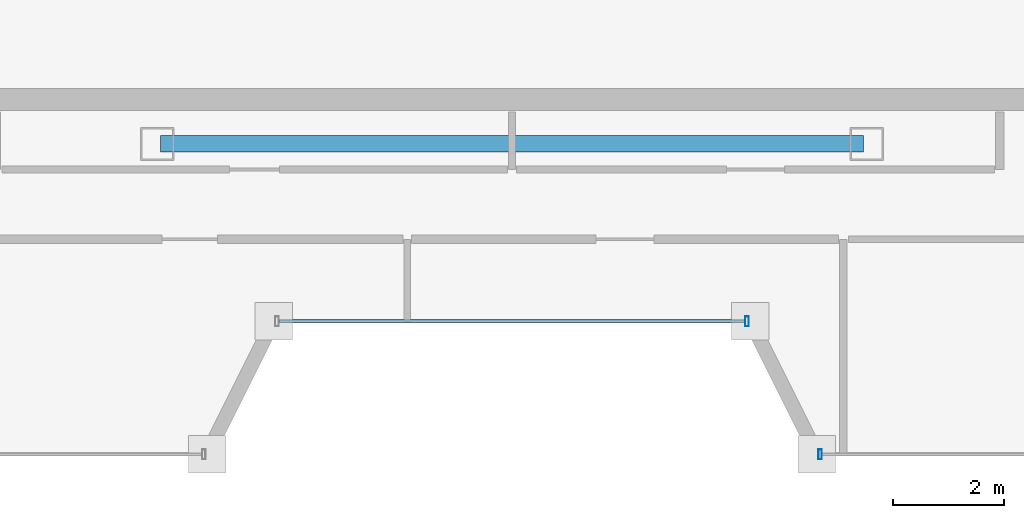
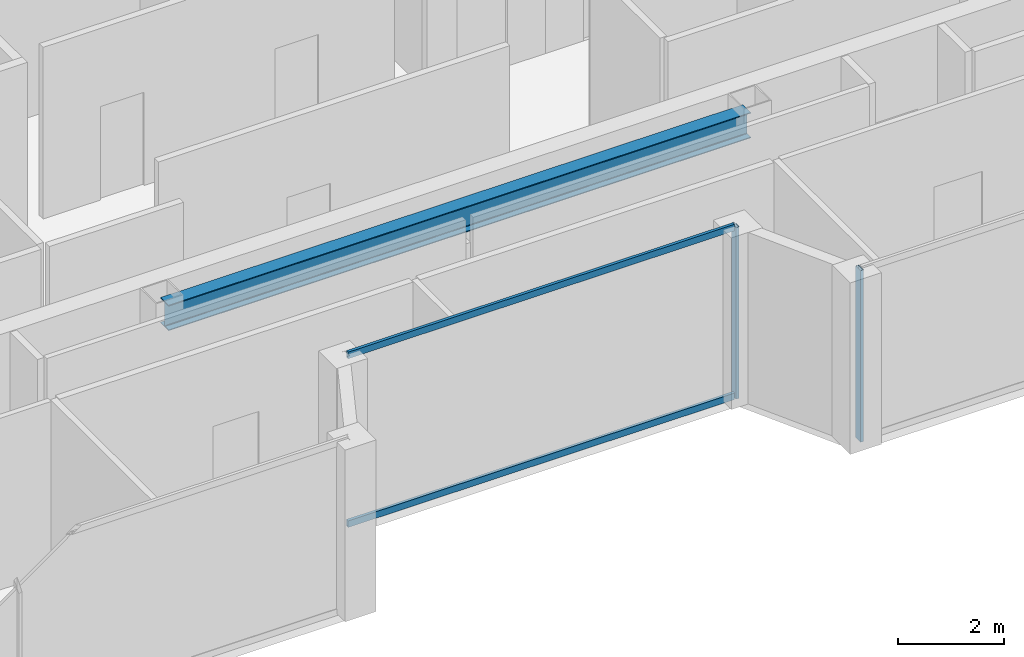
# One storey, part 5 of 20: 4 members, 1 beam, 2 elements without a shape of their own.
"""IFC4 building model written with IfcOpenShell, lengths in metres."""

from ifc_helpers import new_model, si_unit, direction, frame, origin, origin_2d, place, context, subcontext, project, spatial, hollow_rectangle, i_section, extrude, material, material_profile, profile_set, type_object, element, aggregate, save


model = new_model("IFC4")

# Units and contexts
model_context = context("Model", 3, precision=1e-05, world=origin(), true_north=direction((0.0, 1.0)))
body_context = subcontext(model_context, "Body", "Model", "MODEL_VIEW")
ifc_project = project(units=[si_unit("LENGTHUNIT", "METRE"), si_unit("AREAUNIT", "SQUARE_METRE"), si_unit("VOLUMEUNIT", "CUBIC_METRE"), si_unit("PLANEANGLEUNIT", "RADIAN"), si_unit("MASSUNIT", "GRAM", prefix="KILO")], contexts=[model_context])

# Site, building, storey
site_placement = place(None, origin())
site = spatial("IfcSite", under=ifc_project, at=site_placement, CompositionType="ELEMENT")
building_placement = place(site_placement, origin())
building = spatial("IfcBuilding", under=site, at=building_placement, Name="Saevonmaru Cultural Tower", CompositionType="ELEMENT")
storey_placement = place(building_placement, frame((0.0, 0.0, 319.199951171875)))
storey = spatial("IfcBuildingStorey", under=building, at=storey_placement, Name="L76", CompositionType="ELEMENT", Elevation=319.199951171875)

# Beam
ifc_material_1 = material(Name="Steel SM355", Category="steel")
ifc_material_profile_1 = material_profile(ifc_material_1, i_section(OverallWidth=0.300048828125, OverallDepth=0.587890625, WebThickness=0.011962890625, FlangeThickness=0.02001953125, FilletRadius=0.02392578125, at=origin_2d()), Name="H-588x300x12x20")
ifc_profile_set_1 = profile_set([ifc_material_profile_1], Name="Steel SM355")
beam_type = type_object("IfcBeamType", Name="BM-G-H588", PredefinedType="BEAM", material=ifc_profile_set_1)
beam_placement = place(storey_placement, frame((23.659912109375, 42.39990234375, 3.656005859375), z_axis=(1.0, 0.0, 0.0), x_axis=(0.0, 1.0, 0.0)))
element("IfcBeam", 1, at=beam_placement, inside=storey, type_object=beam_type, Name="L76 Core South Girder 3", PredefinedType="BEAM", context=body_context, shape_type="SweptSolid", body=[
    extrude(i_section(OverallWidth=0.300048828125, OverallDepth=0.587890625, WebThickness=0.011962890625, FlangeThickness=0.02001953125, FilletRadius=0.02392578125, at=origin_2d()), origin(), (0.0, 0.0, 1.0), 12.68017578125),
])

# Curtain wall, member
ifc_material_2 = material(Name="Satin Bronze Anodised Aluminium", Category="aluminium")
curtain_wall_type = type_object("IfcCurtainWallType", Name="CW-SKY-GLZ", PredefinedType="NOTDEFINED", material=ifc_material_2)
curtain_wall_1_placement = place(storey_placement, origin())
curtain_wall_1 = element("IfcCurtainWall", 2, at=curtain_wall_1_placement, inside=storey, type_object=curtain_wall_type, Name="L76 Unitised Curtain Wall E4", PredefinedType="NOTDEFINED")
ifc_material_profile_2 = material_profile(ifc_material_2, hollow_rectangle(XDim=0.06494140625, YDim=0.179931640625, WallThickness=0.00390625, at=origin_2d()), Name="ALU-MULL-180x65x4")
ifc_profile_set_2 = profile_set([ifc_material_profile_2], Name="Satin Bronze Anodised Aluminium")
member_type_1 = type_object("IfcMemberType", Name="ML-CW-180x65", PredefinedType="MULLION", material=ifc_profile_set_2)
member_1_placement = place(storey_placement, frame((34.239990234375, 39.199951171875, 0.0), z_axis=(0.0, 0.0, 1.0), x_axis=(1.0, 0.0, 0.0)))
member_1 = element("IfcMember", 3, at=member_1_placement, type_object=member_type_1, Name="CW-TW-L76-E4 mullion 2", PredefinedType="MULLION", context=body_context, shape_type="SweptSolid", body=[
    extrude(hollow_rectangle(XDim=0.06494140625, YDim=0.179931640625, WallThickness=0.00390625, at=origin_2d()), origin(), (0.0, 0.0, 1.0), 3.949951171875),
])

curtain_wall_2_placement = place(storey_placement, origin())
curtain_wall_2 = element("IfcCurtainWall", 4, at=curtain_wall_2_placement, inside=storey, type_object=curtain_wall_type, Name="L76 Unitised Curtain Wall E6", PredefinedType="NOTDEFINED")
member_2_placement = place(storey_placement, frame((35.56005859375, 36.800048828125, 0.0), z_axis=(0.0, 0.0, 1.0), x_axis=(1.0, 0.0, 0.0)))
member_2 = element("IfcMember", 5, at=member_2_placement, type_object=member_type_1, Name="CW-TW-L76-E6 mullion 1", PredefinedType="MULLION", context=body_context, shape_type="SweptSolid", body=[
    extrude(hollow_rectangle(XDim=0.06494140625, YDim=0.179931640625, WallThickness=0.00390625, at=origin_2d()), origin(), (0.0, 0.0, 1.0), 3.949951171875),
])
aggregate(curtain_wall_2, [member_2])

# Member
ifc_material_profile_3 = material_profile(ifc_material_2, hollow_rectangle(XDim=0.06494140625, YDim=0.14990234375, WallThickness=0.00390625, at=origin_2d()), Name="ALU-TRAN-150x65x4")
ifc_profile_set_3 = profile_set([ifc_material_profile_3], Name="Satin Bronze Anodised Aluminium")
member_type_2 = type_object("IfcMemberType", Name="TR-CW-150x65", PredefinedType="USERDEFINED", material=ifc_profile_set_3)
member_3_placement = place(storey_placement, frame((25.79248046875, 39.199951171875, 0.032470703125), z_axis=(1.0, 0.0, 0.0), x_axis=(0.0, 1.0, 0.0)))
member_3 = element("IfcMember", 6, at=member_3_placement, type_object=member_type_2, Name="CW-TW-L76-E4 transom 1.1", ObjectType="TRANSOM", PredefinedType="USERDEFINED", context=body_context, shape_type="SweptSolid", body=[
    extrude(hollow_rectangle(XDim=0.06494140625, YDim=0.14990234375, WallThickness=0.00390625, at=origin_2d()), origin(), (0.0, 0.0, 1.0), 8.4150390625),
])

member_4_placement = place(storey_placement, frame((25.79248046875, 39.199951171875, 3.91748046875), z_axis=(1.0, 0.0, 0.0), x_axis=(0.0, 1.0, 0.0)))
member_4 = element("IfcMember", 7, at=member_4_placement, type_object=member_type_2, Name="CW-TW-L76-E4 transom 1.2", ObjectType="TRANSOM", PredefinedType="USERDEFINED", context=body_context, shape_type="SweptSolid", body=[
    extrude(hollow_rectangle(XDim=0.06494140625, YDim=0.14990234375, WallThickness=0.00390625, at=origin_2d()), origin(), (0.0, 0.0, 1.0), 8.4150390625),
])

aggregate(curtain_wall_1, [member_1, member_3, member_4])

save(model, "model.ifc")
